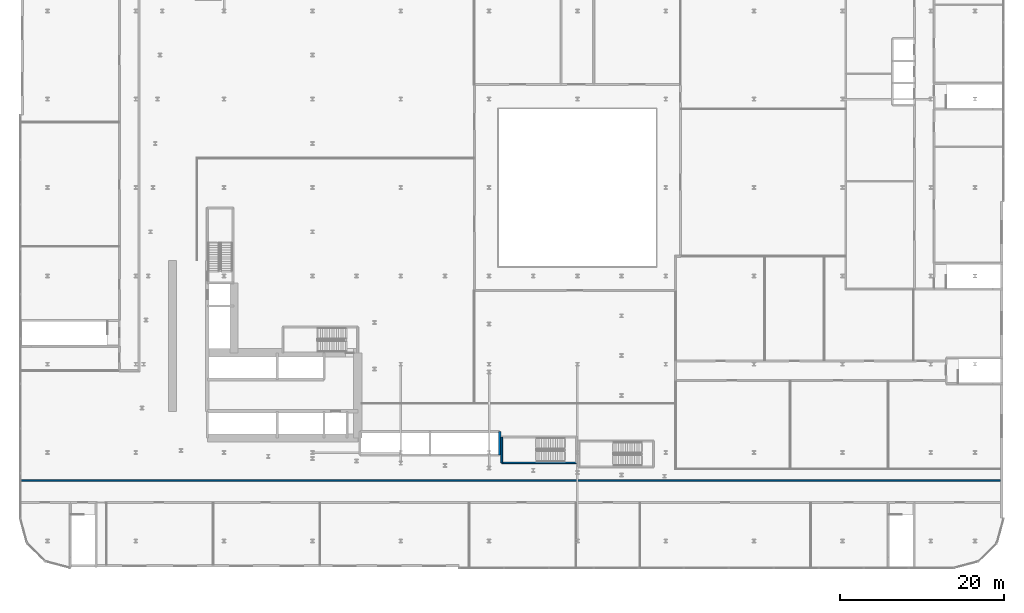
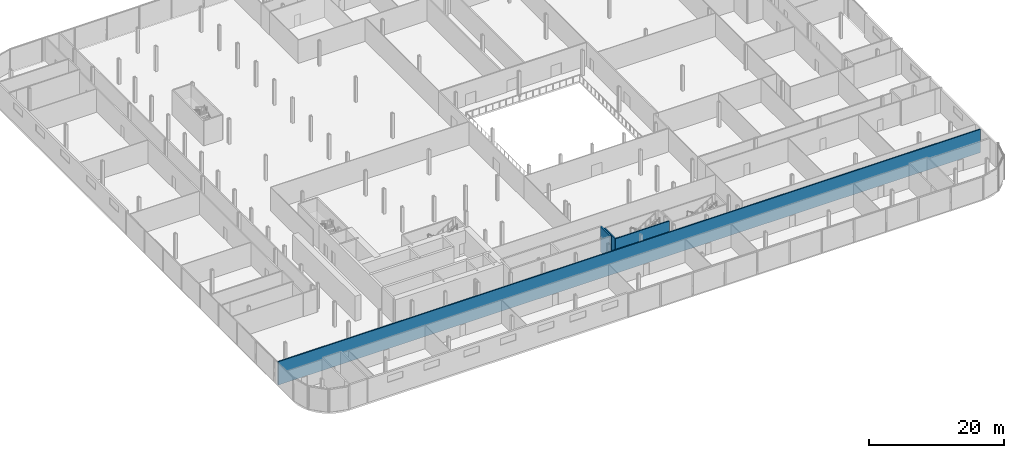
# One storey, part 28 of 43: 4 walls.
"""IFC4 building model written with IfcOpenShell, lengths in metres."""

from ifc_helpers import new_model, si_unit, direction, frame, frame_2d, origin, place, context, subcontext, project, spatial, rectangle, extrude, material, layer, layer_set, type_object, element, save


model = new_model("IFC4")

# Units and contexts
model_context = context("Model", 3, precision=1e-05, world=origin(), true_north=direction((0.0, 1.0)))
body_context = subcontext(model_context, "Body", "Model", "MODEL_VIEW")
ifc_project = project(units=[si_unit("LENGTHUNIT", "METRE"), si_unit("AREAUNIT", "SQUARE_METRE"), si_unit("VOLUMEUNIT", "CUBIC_METRE"), si_unit("PLANEANGLEUNIT", "RADIAN"), si_unit("MASSUNIT", "GRAM", prefix="KILO")], contexts=[model_context])

# Site, building, storey
site_placement = place(None, origin())
site = spatial("IfcSite", under=ifc_project, at=site_placement, CompositionType="ELEMENT")
building_placement = place(site_placement, origin())
building = spatial("IfcBuilding", under=site, at=building_placement, Name="Kheshtan School and Residences Tower", CompositionType="ELEMENT")
storey_placement = place(building_placement, frame((0.0, 0.0, 26.0)))
storey = spatial("IfcBuildingStorey", under=building, at=storey_placement, Name="L05", CompositionType="ELEMENT", Elevation=26.0)

# Walls
ifc_material_1 = material(Name="Gypsum board on steel studs with fire boards", Category="steel")
ifc_layer_1 = layer(ifc_material_1, 0.199951171875)
ifc_layer_set_1 = layer_set([ifc_layer_1], Name="Corridor wall 200")
wall_type_1 = type_object("IfcWallType", Name="Corridor wall 200", PredefinedType="PARTITIONING", material=ifc_layer_set_1)
wall_1_placement = place(storey_placement, frame((12.0, 20.60009765625, 0.0), z_axis=(0.0, 0.0, 1.0), x_axis=(1.0, 0.0, 0.0)))
element("IfcWall", 1, at=wall_1_placement, inside=storey, type_object=wall_type_1, Name="Partition L05-002", PredefinedType="PARTITIONING", context=body_context, shape_type="SweptSolid", body=[
    extrude(rectangle(XDim=119.700927734375, YDim=0.199951171875, at=frame_2d((59.8505859375, 0.0))), origin(), (0.0, 0.0, 1.0), 4.199951171875),
])
ifc_material_2 = material(Name="Fire-board shaft wall system")
ifc_layer_2 = layer(ifc_material_2, 0.25)
ifc_layer_set_2 = layer_set([ifc_layer_2], Name="Shaft lining wall 250")
wall_type_2 = type_object("IfcWallType", Name="Shaft lining wall 250", PredefinedType="PARTITIONING", material=ifc_layer_set_2)
wall_2_placement = place(storey_placement, frame((70.5, 23.699951171875, 0.0), z_axis=(0.0, 0.0, 1.0), x_axis=(0.0, 1.0, 0.0)))
element("IfcWall", 2, at=wall_2_placement, inside=storey, type_object=wall_type_2, Name="Shaft lining wall", PredefinedType="PARTITIONING", context=body_context, shape_type="SweptSolid", body=[
    extrude(rectangle(XDim=2.85009765625, YDim=0.25, at=frame_2d((1.425048828125, 0.0))), origin(), (0.0, 0.0, 1.0), 4.5),
])
ifc_material_3 = material(Name="Concrete C40/50", Category="concrete")
ifc_layer_3 = layer(ifc_material_3, 0.199951171875)
ifc_layer_set_3 = layer_set([ifc_layer_3], Name="Stair enclosure wall 200 Concrete C40/50")
wall_type_3 = type_object("IfcWallType", Name="Stair enclosure wall 200 Concrete C40/50", PredefinedType="SHEAR", material=ifc_layer_set_3)
wall_3_placement = place(storey_placement, frame((70.75, 22.75, 0.0), z_axis=(0.0, 0.0, 1.0), x_axis=(1.0, 0.0, 0.0)))
element("IfcWall", 3, at=wall_3_placement, inside=storey, type_object=wall_type_3, Name="Stair enclosure wall ST5", PredefinedType="SHEAR", context=body_context, shape_type="SweptSolid", body=[
    extrude(rectangle(XDim=9.159912109375, YDim=0.199951171875, at=frame_2d((4.580078125, 0.0))), origin(), (0.0, 0.0, 1.0), 4.5),
])
wall_4_placement = place(storey_placement, frame((70.75, 22.75, 0.0), z_axis=(0.0, 0.0, 1.0), x_axis=(0.0, 1.0, 0.0)))
element("IfcWall", 4, at=wall_4_placement, inside=storey, type_object=wall_type_3, Name="Stair enclosure wall ST5", PredefinedType="SHEAR", context=body_context, shape_type="SweptSolid", body=[
    extrude(rectangle(XDim=3.14990234375, YDim=0.199951171875, at=frame_2d((1.574951171875, 0.0))), origin(), (0.0, 0.0, 1.0), 4.5),
])

save(model, "model.ifc")
